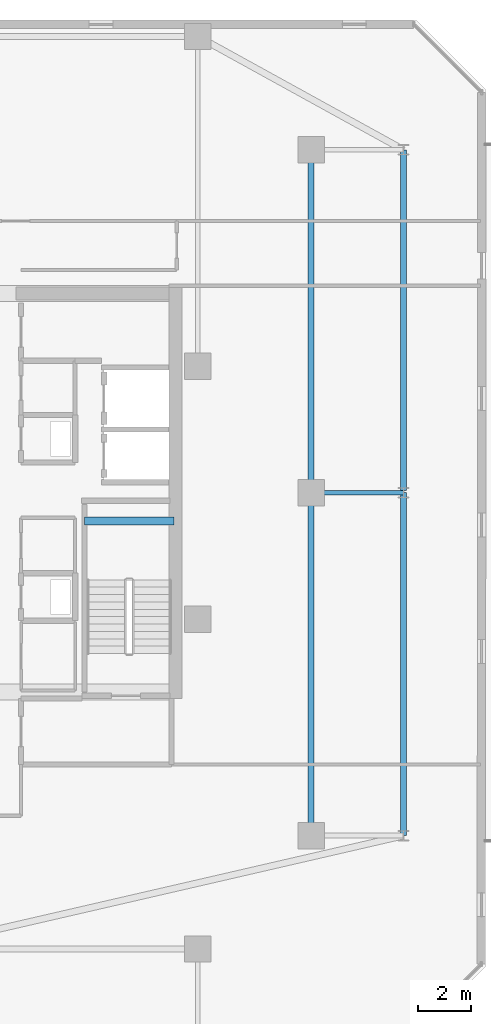
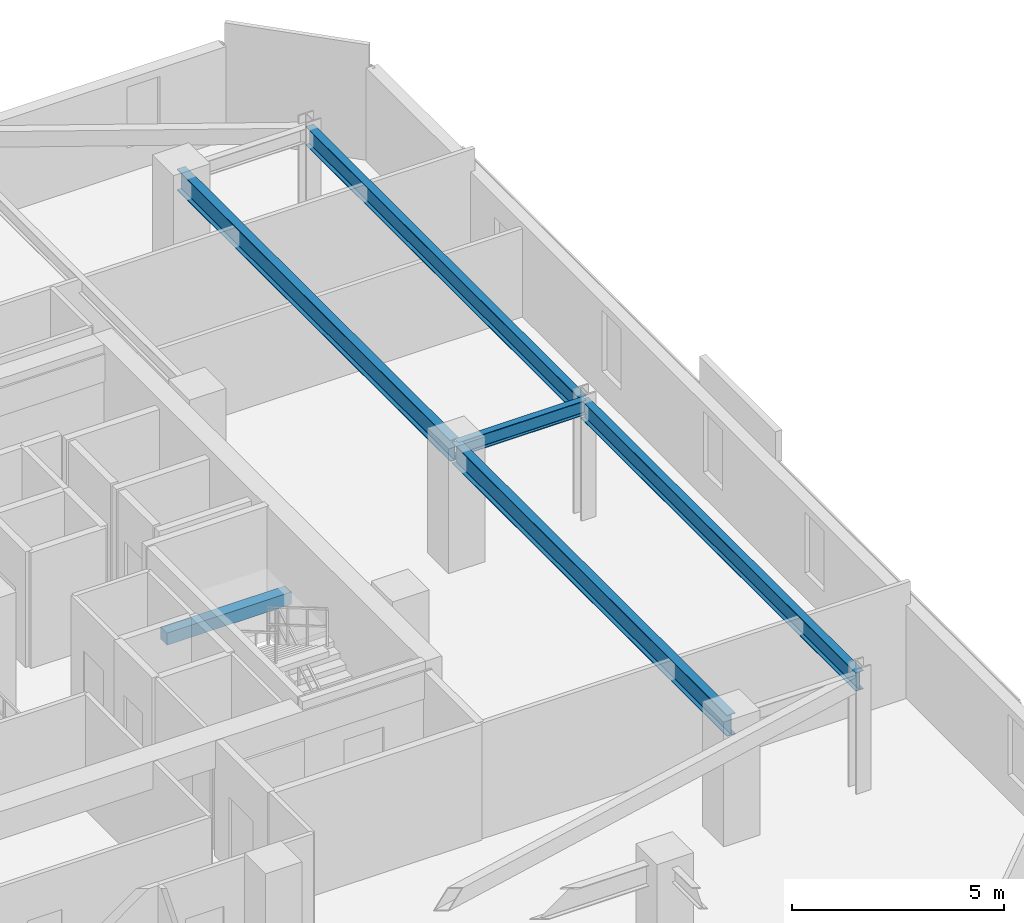
# One storey, part 13 of 31: 6 beams.
"""IFC4 building model written with IfcOpenShell, lengths in metres."""

import ifcopenshell
import ifcopenshell.guid

model = None  # the IFC model being written
_history = None  # IfcOwnerHistory: only IFC2X3 demands one
_inside = {}  # id of a spatial element -> (the spatial element, [elements in it])
_under = {}  # id of a project, library or spatial element -> (it, [spatial elements below it])
_declared = {}  # id of a project -> (the project, [libraries it declares])
_typed = {}  # id of a type object -> (the type object, [elements of that type])
_made_of = {}  # id of a material, layer set ... -> (it, [elements and type objects made of it])


def new_model(schema):
    """Start an empty IFC model of exactly this schema.

    Asked for "IFC4X3", IfcOpenShell would pick the latest addendum, in which some entities
    have other attributes; the version numbers below select the first issue.
    IFC2X3 requires an IfcOwnerHistory on every rooted entity: one is made here for all.
    """
    global model, _history
    if schema == "IFC4X3":
        model = ifcopenshell.file(schema_version=(4, 3, 0, 0))
    else:
        model = ifcopenshell.file(schema=schema)
    _inside.clear()
    _under.clear()
    _declared.clear()
    _typed.clear()
    _made_of.clear()
    _history = None
    if model.schema == "IFC2X3":
        org = make("IfcOrganization", Name="unknown")
        user = make(
            "IfcPersonAndOrganization",
            ThePerson=make("IfcPerson", FamilyName="unknown"),
            TheOrganization=org,
        )
        app = make(
            "IfcApplication",
            ApplicationDeveloper=org,
            Version="unknown",
            ApplicationFullName="unknown",
            ApplicationIdentifier="unknown",
        )
        _history = make(
            "IfcOwnerHistory",
            OwningUser=user,
            OwningApplication=app,
            ChangeAction="ADDED",
            CreationDate=0,
        )
    return model


def make(cls, **values):
    """One entity of the class cls with the attributes given. An attribute that is None is left unset."""
    return model.create_entity(
        cls, **{name: value for name, value in values.items() if value is not None}
    )


def rooted(cls, **values):
    """An entity with a GlobalId (a new one), such as an element, a storey or a relation."""
    return make(cls, GlobalId=ifcopenshell.guid.new(), OwnerHistory=_history, **values)


def si_unit(unit_type, name, prefix=None):
    """IfcSIUnit, for example si_unit("LENGTHUNIT", "METRE", prefix="MILLI")."""
    return make("IfcSIUnit", UnitType=unit_type, Prefix=prefix, Name=name)


def assignment(units):
    """IfcUnitAssignment: the units of a project."""
    return None if units is None else make("IfcUnitAssignment", Units=units)


def point(xyz):
    """IfcCartesianPoint."""
    return None if xyz is None else make("IfcCartesianPoint", Coordinates=xyz)


def direction(xyz):
    """IfcDirection."""
    return None if xyz is None else make("IfcDirection", DirectionRatios=xyz)


def frame(location, z_axis=None, x_axis=None):
    """IfcAxis2Placement3D, a coordinate frame: its origin and axes. An axis left out is left unset."""
    return make(
        "IfcAxis2Placement3D",
        Location=point(location),
        Axis=direction(z_axis),
        RefDirection=direction(x_axis),
    )


def frame_2d(location, x_axis=None):
    """IfcAxis2Placement2D, a coordinate frame in the plane: its origin and x axis."""
    return make(
        "IfcAxis2Placement2D", Location=point(location), RefDirection=direction(x_axis)
    )


def origin():
    """The frame at (0, 0, 0) with its axes left unset."""
    return frame((0.0, 0.0, 0.0))


def origin_2d():
    """The frame at (0, 0) in the plane with its x axis left unset."""
    return frame_2d((0.0, 0.0))


def place(relative_to, where):
    """IfcLocalPlacement: puts the frame where relative to a parent placement (None: the world)."""
    return make(
        "IfcLocalPlacement", PlacementRelTo=relative_to, RelativePlacement=where
    )


def context(
    kind, dimensions, precision=None, world=None, true_north=None, identifier=None
):
    """IfcGeometricRepresentationContext, for example the 3D "Model" context."""
    return make(
        "IfcGeometricRepresentationContext",
        ContextIdentifier=identifier,
        ContextType=kind,
        CoordinateSpaceDimension=dimensions,
        Precision=precision,
        WorldCoordinateSystem=world,
        TrueNorth=true_north,
    )


def subcontext(parent, identifier, kind, view, scale=None):
    """IfcGeometricRepresentationSubContext, for example "Body" below "Model"."""
    return make(
        "IfcGeometricRepresentationSubContext",
        ContextIdentifier=identifier,
        ContextType=kind,
        ParentContext=parent,
        TargetScale=scale,
        TargetView=view,
    )


def project(units=None, contexts=None):
    """IfcProject with its units and contexts."""
    return rooted(
        "IfcProject",
        Name="project",
        RepresentationContexts=contexts,
        UnitsInContext=assignment(units),
    )


def spatial(cls, under=None, at=None, **own):
    """A site, building, storey or space (cls), placed at a placement, below another one or the project."""
    s = rooted(cls, ObjectPlacement=at, **own)
    if under is not None:
        _under.setdefault(under.id(), (under, []))[1].append(s)
    return s


def profile(cls, at=None, kind="AREA", **sizes):
    """A parametric profile (cls). Its sizes go by their IFC names, for example OverallWidth=200.0."""
    return make(cls, ProfileType=kind, Position=at, **sizes)


def rectangle(**sizes):
    """IfcRectangleProfileDef."""
    return profile("IfcRectangleProfileDef", **sizes)


def i_section(**sizes):
    """IfcIShapeProfileDef."""
    return profile("IfcIShapeProfileDef", **sizes)


def extrude(swept, where, along, depth):
    """IfcExtrudedAreaSolid: the profile swept, set in the frame where, extruded along a direction by depth."""
    return make(
        "IfcExtrudedAreaSolid",
        SweptArea=swept,
        Position=where,
        ExtrudedDirection=direction(along),
        Depth=depth,
    )


def shape(context_of_items, identifier, shape_type, items):
    """IfcShapeRepresentation: the items that make up one representation, for example the "Body"."""
    return make(
        "IfcShapeRepresentation",
        ContextOfItems=context_of_items,
        RepresentationIdentifier=identifier,
        RepresentationType=shape_type,
        Items=items,
    )


def material(Name=None, Category=None):
    """IfcMaterial."""
    return make("IfcMaterial", Name=Name, Category=Category)


def material_profile(
    of_material, cross_section, Name=None, Category=None, Priority=None
):
    """IfcMaterialProfile: a cross section and its material."""
    return make(
        "IfcMaterialProfile",
        Name=Name,
        Material=of_material,
        Profile=cross_section,
        Priority=Priority,
        Category=Category,
    )


def profile_set(profiles, Name=None, composite=None):
    """IfcMaterialProfileSet."""
    return make(
        "IfcMaterialProfileSet",
        Name=Name,
        MaterialProfiles=profiles,
        CompositeProfile=composite,
    )


def made_of(thing, what):
    """Note that an element or type object is made of a material, layer set ...; save() writes the relation."""
    if what is not None:
        _made_of.setdefault(what.id(), (what, []))[1].append(thing)
    return thing


def type_object(cls, material=None, **own):
    """A type object (cls), such as IfcWallType, which elements share."""
    return made_of(rooted(cls, **own), material)


def element(
    cls,
    number,
    at=None,
    inside=None,
    cuts=None,
    type_object=None,
    material=None,
    context=None,
    identifier="Body",
    shape_type=None,
    held_by="IfcProductDefinitionShape",
    body=None,
    shapes=None,
    **own,
):
    """One element of the class cls, such as IfcWall. Its Tag is "e" and its number.

    at: its placement. inside: the storey or other place that contains it. cuts: it is an
    opening in that element (IfcRelVoidsElement). A single representation is given by context,
    identifier, shape_type and body (its items); several are given by shapes. held_by: the class
    of the entity that holds the representations. save() writes the other relations.
    """
    e = rooted(cls, Tag="e%d" % number, ObjectPlacement=at, **own)
    if body is not None:
        shapes = [shape(context, identifier, shape_type, body)]
    if shapes is not None:
        e.Representation = make(held_by, Representations=shapes)
    if inside is not None:
        _inside.setdefault(inside.id(), (inside, []))[1].append(e)
    if cuts is not None:
        rooted(
            "IfcRelVoidsElement", RelatingBuildingElement=cuts, RelatedOpeningElement=e
        )
    if type_object is not None:
        _typed.setdefault(type_object.id(), (type_object, []))[1].append(e)
    return made_of(e, material)


def aggregate(whole, parts):
    """IfcRelAggregates: a whole, such as a stair, and the parts it consists of."""
    return rooted("IfcRelAggregates", RelatingObject=whole, RelatedObjects=parts)


def save(model, path):
    """Write the relations noted so far, then the file.

    IfcRelAggregates (storeys below a building ...), IfcRelContainedInSpatialStructure (elements
    in a storey), IfcRelDefinesByType, IfcRelAssociatesMaterial and IfcRelDeclares: one each for
    every whole, place, type object, material and project.
    """
    for whole, parts in _under.values():
        aggregate(whole, parts)
    for where, things in _inside.values():
        rooted(
            "IfcRelContainedInSpatialStructure",
            RelatedElements=things,
            RelatingStructure=where,
        )
    for kind, things in _typed.values():
        rooted("IfcRelDefinesByType", RelatedObjects=things, RelatingType=kind)
    for what, things in _made_of.values():
        rooted("IfcRelAssociatesMaterial", RelatedObjects=things, RelatingMaterial=what)
    for by, libraries in _declared.values():
        rooted("IfcRelDeclares", RelatingContext=by, RelatedDefinitions=libraries)
    model.write(path)


model = new_model("IFC4")

# Units and contexts
model_context = context("Model", 3, precision=1e-05, world=origin(), true_north=direction((0.0, 1.0)))
body_context = subcontext(model_context, "Body", "Model", "MODEL_VIEW")
ifc_project = project(units=[si_unit("LENGTHUNIT", "METRE"), si_unit("AREAUNIT", "SQUARE_METRE"), si_unit("VOLUMEUNIT", "CUBIC_METRE"), si_unit("PLANEANGLEUNIT", "RADIAN"), si_unit("MASSUNIT", "GRAM", prefix="KILO")], contexts=[model_context])

# Site, building, storey
site_placement = place(None, origin())
site = spatial("IfcSite", under=ifc_project, at=site_placement, CompositionType="ELEMENT")
building_placement = place(site_placement, origin())
building = spatial("IfcBuilding", under=site, at=building_placement, Name="Thornwick Lancets Civic Towers", CompositionType="ELEMENT")
storey_placement = place(building_placement, frame((0.0, 0.0, 233.10009765625)))
storey = spatial("IfcBuildingStorey", under=building, at=storey_placement, Name="L62", CompositionType="ELEMENT", Elevation=233.10009765625)

# Beams
ifc_material_1 = material(Name="Steel S355JR", Category="steel")
ifc_material_profile_1 = material_profile(ifc_material_1, i_section(OverallWidth=0.210693359375, OverallDepth=0.53955078125, WebThickness=0.01171875, FlangeThickness=0.018798828125, FilletRadius=0.0126953125, at=origin_2d()), Name="UKB 533x210x109")
ifc_profile_set_1 = profile_set([ifc_material_profile_1], Name="Steel S355JR")
beam_type_1 = type_object("IfcBeamType", Name="BM_EDGE_533_109", PredefinedType="SPANDREL", material=ifc_profile_set_1)
beam_1_placement = place(storey_placement, frame((109.300048828125, 14.0, 3.090087890625), z_axis=(0.0, 1.0, 0.0), x_axis=(-1.0, 0.0, 0.0)))
element("IfcBeam", 1, at=beam_1_placement, inside=storey, type_object=beam_type_1, Name="BM-EDGE-L62-B-S0-1", PredefinedType="SPANDREL", context=body_context, shape_type="SweptSolid", body=[
    extrude(i_section(OverallWidth=0.210693359375, OverallDepth=0.53955078125, WebThickness=0.01171875, FlangeThickness=0.018798828125, FilletRadius=0.0126953125, at=origin_2d()), origin(), (0.0, 0.0, 1.0), 13.0),
])
beam_2_placement = place(storey_placement, frame((109.300048828125, 27.080078125, 3.090087890625), z_axis=(0.0, 1.0, 0.0), x_axis=(-1.0, 0.0, 0.0)))
element("IfcBeam", 2, at=beam_2_placement, inside=storey, type_object=beam_type_1, Name="BM-EDGE-L62-B-S0-2", PredefinedType="SPANDREL", context=body_context, shape_type="SweptSolid", body=[
    extrude(i_section(OverallWidth=0.210693359375, OverallDepth=0.53955078125, WebThickness=0.01171875, FlangeThickness=0.018798828125, FilletRadius=0.0126953125, at=origin_2d()), origin(), (0.0, 0.0, 1.0), 12.919921875),
])
ifc_material_profile_2 = material_profile(ifc_material_1, i_section(OverallWidth=0.230224609375, OverallDepth=0.6171875, WebThickness=0.01318359375, FlangeThickness=0.022216796875, FilletRadius=0.0126953125, at=origin_2d()), Name="UKB 610x229x140")
ifc_profile_set_2 = profile_set([ifc_material_profile_2], Name="Steel S355JR")
beam_type_2 = type_object("IfcBeamType", Name="BM_GIRD_610_140", PredefinedType="BEAM", material=ifc_profile_set_2)
beam_3_placement = place(storey_placement, frame((105.800048828125, 14.0, 3.05126953125), z_axis=(0.0, 1.0, 0.0), x_axis=(-1.0, 0.0, 0.0)))
element("IfcBeam", 3, at=beam_3_placement, inside=storey, type_object=beam_type_2, Name="BM-SPINE-L62-B-0-1", PredefinedType="BEAM", context=body_context, shape_type="SweptSolid", body=[
    extrude(i_section(OverallWidth=0.230224609375, OverallDepth=0.6171875, WebThickness=0.01318359375, FlangeThickness=0.022216796875, FilletRadius=0.0126953125, at=origin_2d()), origin(), (0.0, 0.0, 1.0), 13.0),
])
beam_4_placement = place(storey_placement, frame((105.800048828125, 27.080078125, 3.05126953125), z_axis=(0.0, 1.0, 0.0), x_axis=(-1.0, 0.0, 0.0)))
element("IfcBeam", 4, at=beam_4_placement, inside=storey, type_object=beam_type_2, Name="BM-SPINE-L62-B-1-2", PredefinedType="BEAM", context=body_context, shape_type="SweptSolid", body=[
    extrude(i_section(OverallWidth=0.230224609375, OverallDepth=0.6171875, WebThickness=0.01318359375, FlangeThickness=0.022216796875, FilletRadius=0.0126953125, at=origin_2d()), origin(), (0.0, 0.0, 1.0), 12.919921875),
])
ifc_material_profile_3 = material_profile(ifc_material_1, i_section(OverallWidth=0.179443359375, OverallDepth=0.412841796875, WebThickness=0.009521484375, FlangeThickness=0.01611328125, FilletRadius=0.01025390625, at=origin_2d()), Name="UKB 406x178x74")
ifc_profile_set_3 = profile_set([ifc_material_profile_3], Name="Steel S355JR")
beam_type_3 = type_object("IfcBeamType", Name="BM_JOIST_406_74", PredefinedType="JOIST", material=ifc_profile_set_3)
beam_5_placement = place(storey_placement, frame((105.800048828125, 27.0, 3.153564453125), z_axis=(1.0, 0.0, 0.0), x_axis=(0.0, 1.0, 0.0)))
element("IfcBeam", 5, at=beam_5_placement, inside=storey, type_object=beam_type_3, Name="BM-RAD-L62-B02", PredefinedType="JOIST", context=body_context, shape_type="SweptSolid", body=[
    extrude(i_section(OverallWidth=0.179443359375, OverallDepth=0.412841796875, WebThickness=0.009521484375, FlangeThickness=0.01611328125, FilletRadius=0.01025390625, at=origin_2d()), origin(), (0.0, 0.0, 1.0), 3.5),
])
ifc_material_2 = material(Name="Concrete C40/50", Category="concrete")
ifc_material_profile_4 = material_profile(ifc_material_2, rectangle(XDim=0.300048828125, YDim=0.35009765625, at=origin_2d()), Name="RC 300x350")
ifc_profile_set_4 = profile_set([ifc_material_profile_4], Name="Concrete C40/50")
beam_type_4 = type_object("IfcBeamType", Name="BM_STAIR_LDG", PredefinedType="BEAM", material=ifc_profile_set_4)
beam_6_placement = place(storey_placement, frame((100.60009765625, 25.93505859375, 1.3779296875), z_axis=(-1.0, 0.0, 0.0), x_axis=(0.0, -1.0, 0.0)))
element("IfcBeam", 6, at=beam_6_placement, inside=storey, type_object=beam_type_4, Name="L62 ST-B1 Landing Support Beam 1", PredefinedType="BEAM", context=body_context, shape_type="SweptSolid", body=[
    extrude(rectangle(XDim=0.300048828125, YDim=0.35009765625, at=origin_2d()), origin(), (0.0, 0.0, 1.0), 3.400146484375),
])

save(model, "model.ifc")
